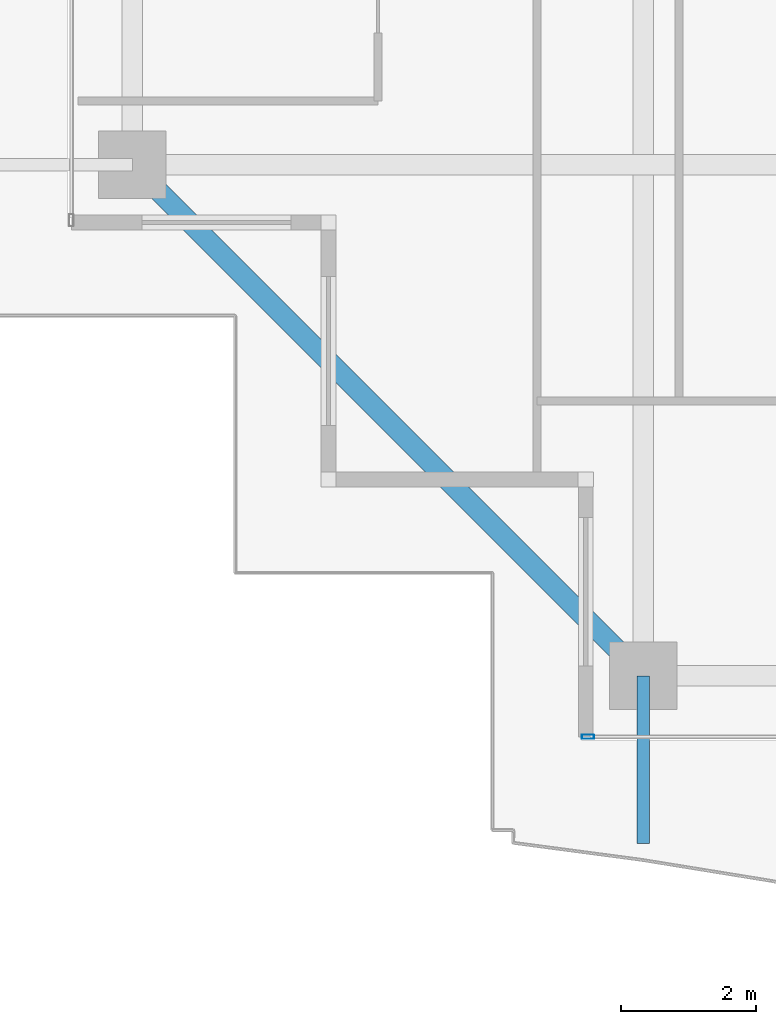
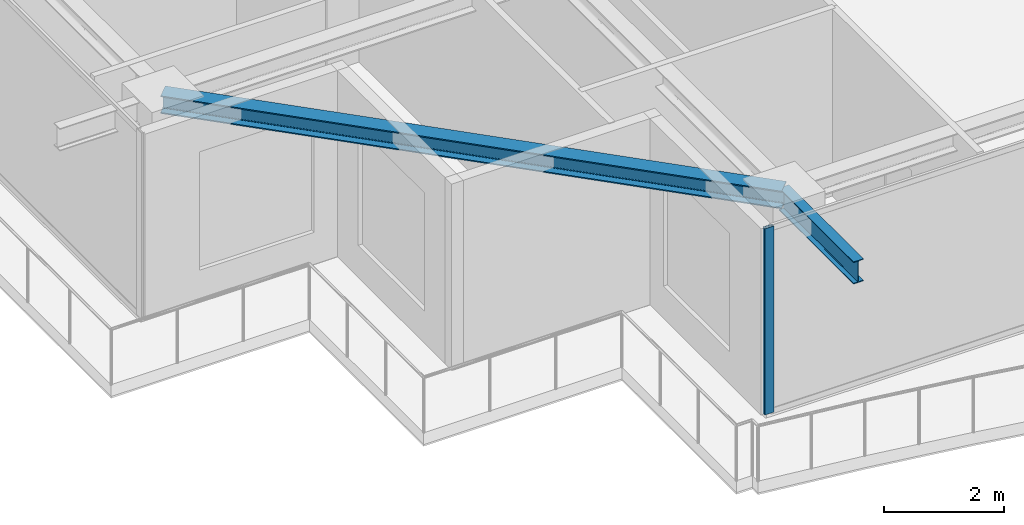
# One storey, part 2 of 42: 2 beams, 1 member, 1 element without a shape of its own.
"""IFC4 building model written with IfcOpenShell, lengths in metres."""

from ifc_helpers import new_model, si_unit, direction, frame, origin, origin_2d, place, context, subcontext, project, spatial, hollow_rectangle, i_section, extrude, source, transform, mapped, material, layer, layer_set, material_profile, profile_set, type_object, element, aggregate, save


model = new_model("IFC4")

# Units and contexts
model_context = context("Model", 3, precision=1e-05, world=origin(), true_north=direction((0.0, 1.0)))
body_context = subcontext(model_context, "Body", "Model", "MODEL_VIEW")
ifc_project = project(units=[si_unit("LENGTHUNIT", "METRE"), si_unit("AREAUNIT", "SQUARE_METRE"), si_unit("VOLUMEUNIT", "CUBIC_METRE"), si_unit("PLANEANGLEUNIT", "RADIAN"), si_unit("MASSUNIT", "GRAM", prefix="KILO")], contexts=[model_context])

# Site, building, storey
site_placement = place(None, origin())
site = spatial("IfcSite", under=ifc_project, at=site_placement, CompositionType="ELEMENT")
building_placement = place(site_placement, origin())
building = spatial("IfcBuilding", under=site, at=building_placement, Name="Serunith Strait Residences", CompositionType="ELEMENT")
storey_placement = place(building_placement, frame((0.0, 0.0, 293.449951171875)))
storey = spatial("IfcBuildingStorey", under=building, at=storey_placement, Name="L73", CompositionType="ELEMENT", Elevation=293.449951171875)

# Beams
ifc_material_1 = material(Name="Steel S355J2", Category="steel")
ifc_material_profile_1 = material_profile(ifc_material_1, i_section(OverallWidth=0.300048828125, OverallDepth=0.360107421875, WebThickness=0.012451171875, FlangeThickness=0.0224609375, FilletRadius=0.027099609375, at=origin_2d()), Name="HEB 360")
ifc_profile_set_1 = profile_set([ifc_material_profile_1], Name="Steel S355J2")
beam_type_1 = type_object("IfcBeamType", Name="BM-HEB360", PredefinedType="BEAM", material=ifc_profile_set_1)
shared_shape_1 = source(origin(), body_context, "Body", "SweptSolid", [
    extrude(i_section(OverallWidth=0.300048828125, OverallDepth=0.360107421875, WebThickness=0.012451171875, FlangeThickness=0.0224609375, FilletRadius=0.027099609375, at=origin_2d()), origin(), (0.0, 0.0, 1.0), 10.67724609375),
])
beam_1_placement = place(storey_placement, frame((10.10009765625, 10.85009765625, 3.5771484375), z_axis=(0.707095348302, -0.707118213887, 0.0), x_axis=(0.707118213887, 0.707095348302, 0.0)))
element("IfcBeam", 1, at=beam_1_placement, inside=storey, type_object=beam_type_1, Name="L73 Perimeter Ring Beam 16", PredefinedType="BEAM", context=body_context, shape_type="MappedRepresentation", body=[
    mapped(shared_shape_1, transform((0.0, 0.0, 0.0), scale=1.0)),
])
ifc_material_profile_2 = material_profile(ifc_material_1, i_section(OverallWidth=0.18994140625, OverallDepth=0.449951171875, WebThickness=0.009521484375, FlangeThickness=0.0146484375, FilletRadius=0.02099609375, at=origin_2d()), Name="IPE 450")
ifc_profile_set_2 = profile_set([ifc_material_profile_2], Name="Steel S355J2")
beam_type_2 = type_object("IfcBeamType", Name="BM-IPE450", PredefinedType="JOIST", material=ifc_profile_set_2)
shared_shape_2 = source(origin(), body_context, "Body", "SweptSolid", [
    extrude(i_section(OverallWidth=0.18994140625, OverallDepth=0.449951171875, WebThickness=0.009521484375, FlangeThickness=0.0146484375, FilletRadius=0.02099609375, at=origin_2d()), origin(), (0.0, 0.0, 1.0), 2.474609375),
])
beam_2_placement = place(storey_placement, frame((17.64990234375, 3.300048828125, 3.531982421875), z_axis=(0.0, -1.0, 0.0), x_axis=(1.0, 0.0, 0.0)))
element("IfcBeam", 2, at=beam_2_placement, inside=storey, type_object=beam_type_2, Name="L74 Cantilevered Balcony Rib TC-S1", PredefinedType="JOIST", context=body_context, shape_type="MappedRepresentation", body=[
    mapped(shared_shape_2, transform((0.0, 0.0, 0.0), scale=1.0)),
])

# Curtain wall, member
ifc_material_2 = material(Name="Brushed Stainless-Silver Aluminium", Category="aluminium")
ifc_layer = layer(ifc_material_2, 0.199951171875, Name="Brushed Stainless-Silver Aluminium")
ifc_layer_set = layer_set([ifc_layer], Name="Brushed Stainless-Silver Aluminium")
curtain_wall_type = type_object("IfcCurtainWallType", Name="CW-SYS5", PredefinedType="NOTDEFINED", material=ifc_layer_set)
curtain_wall_placement = place(storey_placement, origin())
curtain_wall = element("IfcCurtainWall", 3, at=curtain_wall_placement, inside=storey, type_object=curtain_wall_type, Name="L73 S Unitised Fritted Curtain Wall", PredefinedType="NOTDEFINED")
ifc_material_profile_3 = material_profile(ifc_material_2, hollow_rectangle(XDim=0.06494140625, YDim=0.179931640625, WallThickness=0.00341796875, InnerFilletRadius=0.00537109375, OuterFilletRadius=0.0087890625, at=origin_2d()), Name="ALU 180x65x3.5")
ifc_profile_set_3 = profile_set([ifc_material_profile_3], Name="Brushed Stainless-Silver Aluminium")
member_type = type_object("IfcMemberType", Name="CW-SYS5-MULL", PredefinedType="MULLION", material=ifc_profile_set_3)
shared_shape_3 = source(origin(), body_context, "Body", "SweptSolid", [
    extrude(hollow_rectangle(XDim=0.06494140625, YDim=0.179931640625, WallThickness=0.00341796875, InnerFilletRadius=0.00537109375, OuterFilletRadius=0.0087890625, at=origin_2d()), origin(), (0.0, 0.0, 1.0), 3.775146484375),
])
member_placement = place(storey_placement, frame((16.83251953125, 2.39990234375, 0.0), z_axis=(0.0, 0.0, 1.0), x_axis=(0.0, 1.0, 0.0)))
member = element("IfcMember", 4, at=member_placement, type_object=member_type, Name="CW-5 mullion 1", PredefinedType="MULLION", context=body_context, shape_type="MappedRepresentation", body=[
    mapped(shared_shape_3, transform((0.0, 0.0, 0.0), scale=1.0)),
])
aggregate(curtain_wall, [member])

save(model, "model.ifc")
